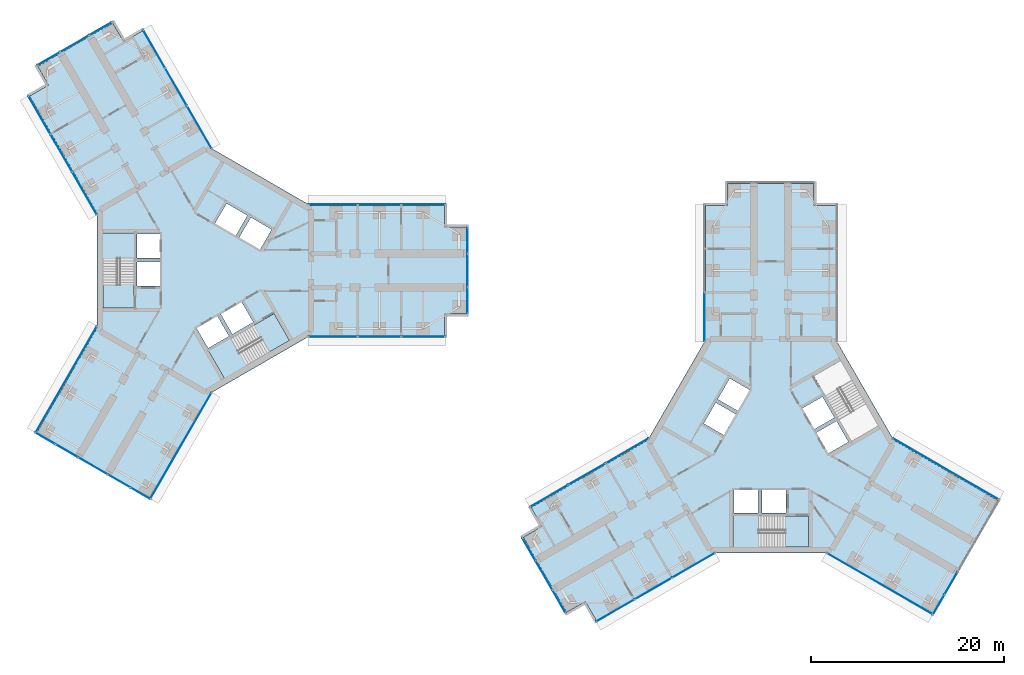
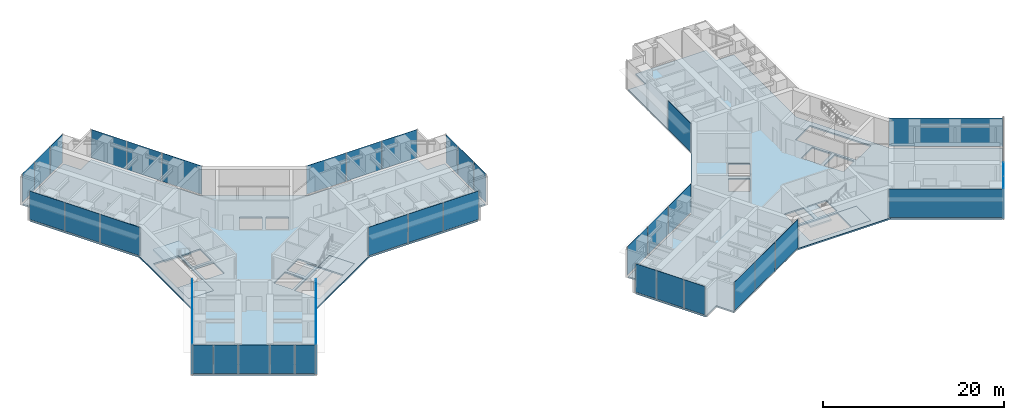
# One storey, part 13 of 21: 39 plates, 8 slabs, 19 elements without a shape of their own.
"""IFC4 building model written with IfcOpenShell, lengths in metres."""

from ifc_helpers import new_model, si_unit, direction, frame, origin, origin_2d, place, context, subcontext, project, spatial, polyline, rectangle, outline, extrude, material, layer, layer_set, type_object, element, aggregate, save


model = new_model("IFC4")

# Units and contexts
model_context = context("Model", 3, precision=1e-05, world=origin(), true_north=direction((0.0, 1.0)))
body_context = subcontext(model_context, "Body", "Model", "MODEL_VIEW")
ifc_project = project(units=[si_unit("LENGTHUNIT", "METRE"), si_unit("AREAUNIT", "SQUARE_METRE"), si_unit("VOLUMEUNIT", "CUBIC_METRE"), si_unit("PLANEANGLEUNIT", "RADIAN"), si_unit("MASSUNIT", "GRAM", prefix="KILO")], contexts=[model_context])

# Site, building, storey
site_placement = place(None, origin())
site = spatial("IfcSite", under=ifc_project, at=site_placement, CompositionType="ELEMENT")
building_placement = place(site_placement, origin())
building = spatial("IfcBuilding", under=site, at=building_placement, Name="Upepo Twin Towers", CompositionType="ELEMENT")
storey_placement = place(building_placement, frame((0.0, 0.0, 113.5)))
storey = spatial("IfcBuildingStorey", under=building, at=storey_placement, Name="L27", CompositionType="ELEMENT", Elevation=113.5)

# Curtain wall, plates
ifc_material_1 = material(Name="Aluminium and fritted glass", Category="aluminium")
curtain_wall_type = type_object("IfcCurtainWallType", Name="Tower curtain wall TW2, fritted glass", PredefinedType="NOTDEFINED", material=ifc_material_1)
curtain_wall_1_placement = place(storey_placement, origin())
curtain_wall_1 = element("IfcCurtainWall", 1, at=curtain_wall_1_placement, inside=storey, type_object=curtain_wall_type, Name="T1 L27 wing A flank L curtain wall", PredefinedType="NOTDEFINED")
ifc_material_2 = material(Name="Ceramic-fritted laminated glass", Category="glass")
ifc_layer_1 = layer(ifc_material_2, 0.031982421875)
ifc_layer_set_1 = layer_set([ifc_layer_1], Name="Fritted glass panel, 35 per cent dot frit, 32 mm double glazed")
plate_type_1 = type_object("IfcPlateType", Name="Fritted glass panel, 35 per cent dot frit, 32 mm double glazed", PredefinedType="CURTAIN_PANEL", material=ifc_layer_set_1)
plate_1_placement = place(storey_placement, frame((13.184814453125, 6.85009765625, 0.14990234375), z_axis=(0.0, 0.0, 1.0), x_axis=(1.0, 0.0, 0.0)))
plate_1 = element("IfcPlate", 2, at=plate_1_placement, type_object=plate_type_1, Name="T1 L27 wing A flank L curtain wall panel 1", PredefinedType="CURTAIN_PANEL", context=body_context, shape_type="SweptSolid", body=[
    extrude(rectangle(XDim=5.0654296875, YDim=0.031982421875, at=origin_2d()), origin(), (0.0, 0.0, 1.0), 3.85009765625),
])
plate_2_placement = place(storey_placement, frame((18.0, 6.85009765625, 0.14990234375), z_axis=(0.0, 0.0, 1.0), x_axis=(1.0, 0.0, 0.0)))
plate_2 = element("IfcPlate", 3, at=plate_2_placement, type_object=plate_type_1, Name="T1 L27 wing A flank L curtain wall panel 2", PredefinedType="CURTAIN_PANEL", context=body_context, shape_type="SweptSolid", body=[
    extrude(rectangle(XDim=4.43505859375, YDim=0.031982421875, at=origin_2d()), origin(), (0.0, 0.0, 1.0), 3.85009765625),
])
plate_3_placement = place(storey_placement, frame((22.53369140625, 6.85009765625, 0.14990234375), z_axis=(0.0, 0.0, 1.0), x_axis=(1.0, 0.0, 0.0)))
plate_3 = element("IfcPlate", 4, at=plate_3_placement, type_object=plate_type_1, Name="T1 L27 wing A flank L curtain wall panel 3", PredefinedType="CURTAIN_PANEL", context=body_context, shape_type="SweptSolid", body=[
    extrude(rectangle(XDim=4.50244140625, YDim=0.031982421875, at=origin_2d()), origin(), (0.0, 0.0, 1.0), 3.85009765625),
])
aggregate(curtain_wall_1, [plate_1, plate_2, plate_3])

curtain_wall_2_placement = place(storey_placement, origin())
curtain_wall_2 = element("IfcCurtainWall", 5, at=curtain_wall_2_placement, inside=storey, type_object=curtain_wall_type, Name="T1 L27 wing A flank R curtain wall", PredefinedType="NOTDEFINED")
plate_4_placement = place(storey_placement, frame((22.53369140625, -6.85009765625, 0.14990234375), z_axis=(0.0, 0.0, 1.0), x_axis=(-1.0, 0.0, 0.0)))
plate_4 = element("IfcPlate", 6, at=plate_4_placement, type_object=plate_type_1, Name="T1 L27 wing A flank R curtain wall panel 1", PredefinedType="CURTAIN_PANEL", context=body_context, shape_type="SweptSolid", body=[
    extrude(rectangle(XDim=4.50244140625, YDim=0.031982421875, at=origin_2d()), origin(), (0.0, 0.0, 1.0), 3.85009765625),
])
plate_5_placement = place(storey_placement, frame((18.0, -6.85009765625, 0.14990234375), z_axis=(0.0, 0.0, 1.0), x_axis=(-1.0, 0.0, 0.0)))
plate_5 = element("IfcPlate", 7, at=plate_5_placement, type_object=plate_type_1, Name="T1 L27 wing A flank R curtain wall panel 2", PredefinedType="CURTAIN_PANEL", context=body_context, shape_type="SweptSolid", body=[
    extrude(rectangle(XDim=4.43505859375, YDim=0.031982421875, at=origin_2d()), origin(), (0.0, 0.0, 1.0), 3.85009765625),
])
plate_6_placement = place(storey_placement, frame((13.184814453125, -6.85009765625, 0.14990234375), z_axis=(0.0, 0.0, 1.0), x_axis=(-1.0, 0.0, 0.0)))
plate_6 = element("IfcPlate", 8, at=plate_6_placement, type_object=plate_type_1, Name="T1 L27 wing A flank R curtain wall panel 3", PredefinedType="CURTAIN_PANEL", context=body_context, shape_type="SweptSolid", body=[
    extrude(rectangle(XDim=5.0654296875, YDim=0.031982421875, at=origin_2d()), origin(), (0.0, 0.0, 1.0), 3.85009765625),
])
aggregate(curtain_wall_2, [plate_4, plate_5, plate_6])

# Curtain wall, plate
curtain_wall_3_placement = place(storey_placement, origin())
curtain_wall_3 = element("IfcCurtainWall", 9, at=curtain_wall_3_placement, inside=storey, type_object=curtain_wall_type, Name="T1 L27 wing A nose curtain wall", PredefinedType="NOTDEFINED")
plate_7_placement = place(storey_placement, frame((27.10009765625, 0.0, 0.14990234375), z_axis=(0.0, 0.0, 1.0), x_axis=(0.0, 1.0, 0.0)))
plate_7 = element("IfcPlate", 10, at=plate_7_placement, type_object=plate_type_1, Name="T1 L27 wing A nose curtain wall panel 2", PredefinedType="CURTAIN_PANEL", context=body_context, shape_type="SweptSolid", body=[
    extrude(rectangle(XDim=3.43505859375, YDim=0.031982421875, at=origin_2d()), origin(), (0.0, 0.0, 1.0), 3.85009765625),
])

# Curtain wall, plates
curtain_wall_4_placement = place(storey_placement, origin())
curtain_wall_4 = element("IfcCurtainWall", 11, at=curtain_wall_4_placement, inside=storey, type_object=curtain_wall_type, Name="T1 L27 wing B flank L curtain wall", PredefinedType="NOTDEFINED")
plate_8_placement = place(storey_placement, frame((-12.524658203125, 7.993408203125, 0.14990234375), z_axis=(0.0, 0.0, 1.0), x_axis=(-0.500000010308, 0.866025397833, 0.0)))
plate_8 = element("IfcPlate", 12, at=plate_8_placement, type_object=plate_type_1, Name="T1 L27 wing B flank L curtain wall panel 1", PredefinedType="CURTAIN_PANEL", context=body_context, shape_type="SweptSolid", body=[
    extrude(rectangle(XDim=5.0654296875, YDim=0.031982421875, at=origin_2d()), origin(), (0.0, 0.0, 1.0), 3.85009765625),
])
plate_9_placement = place(storey_placement, frame((-14.932373046875, 12.16357421875, 0.14990234375), z_axis=(0.0, 0.0, 1.0), x_axis=(-0.500000010308, 0.866025397833, 0.0)))
plate_9 = element("IfcPlate", 13, at=plate_9_placement, type_object=plate_type_1, Name="T1 L27 wing B flank L curtain wall panel 2", PredefinedType="CURTAIN_PANEL", context=body_context, shape_type="SweptSolid", body=[
    extrude(rectangle(XDim=4.43505859375, YDim=0.031982421875, at=origin_2d()), origin(), (0.0, 0.0, 1.0), 3.85009765625),
])
plate_10_placement = place(storey_placement, frame((-17.19921875, 16.08984375, 0.14990234375), z_axis=(0.0, 0.0, 1.0), x_axis=(-0.500000010308, 0.866025397833, 0.0)))
plate_10 = element("IfcPlate", 14, at=plate_10_placement, type_object=plate_type_1, Name="T1 L27 wing B flank L curtain wall panel 3", PredefinedType="CURTAIN_PANEL", context=body_context, shape_type="SweptSolid", body=[
    extrude(rectangle(XDim=4.50244140625, YDim=0.031982421875, at=origin_2d()), origin(), (0.0, 0.0, 1.0), 3.85009765625),
])
aggregate(curtain_wall_4, [plate_8, plate_9, plate_10])

curtain_wall_5_placement = place(storey_placement, origin())
curtain_wall_5 = element("IfcCurtainWall", 15, at=curtain_wall_5_placement, inside=storey, type_object=curtain_wall_type, Name="T1 L27 wing B flank R curtain wall", PredefinedType="NOTDEFINED")
plate_11_placement = place(storey_placement, frame((-5.334716796875, 22.939697265625, 0.14990234375), z_axis=(0.0, 0.0, 1.0), x_axis=(0.500000010308, -0.866025397833, 0.0)))
plate_11 = element("IfcPlate", 16, at=plate_11_placement, type_object=plate_type_1, Name="T1 L27 wing B flank R curtain wall panel 1", PredefinedType="CURTAIN_PANEL", context=body_context, shape_type="SweptSolid", body=[
    extrude(rectangle(XDim=4.50244140625, YDim=0.031982421875, at=origin_2d()), origin(), (0.0, 0.0, 1.0), 3.85009765625),
])
plate_12_placement = place(storey_placement, frame((-3.067626953125, 19.013427734375, 0.14990234375), z_axis=(0.0, 0.0, 1.0), x_axis=(0.500000010308, -0.866025397833, 0.0)))
plate_12 = element("IfcPlate", 17, at=plate_12_placement, type_object=plate_type_1, Name="T1 L27 wing B flank R curtain wall panel 2", PredefinedType="CURTAIN_PANEL", context=body_context, shape_type="SweptSolid", body=[
    extrude(rectangle(XDim=4.43505859375, YDim=0.031982421875, at=origin_2d()), origin(), (0.0, 0.0, 1.0), 3.85009765625),
])
plate_13_placement = place(storey_placement, frame((-0.66015625, 14.84326171875, 0.14990234375), z_axis=(0.0, 0.0, 1.0), x_axis=(0.500000010308, -0.866025397833, 0.0)))
plate_13 = element("IfcPlate", 18, at=plate_13_placement, type_object=plate_type_1, Name="T1 L27 wing B flank R curtain wall panel 3", PredefinedType="CURTAIN_PANEL", context=body_context, shape_type="SweptSolid", body=[
    extrude(rectangle(XDim=5.0654296875, YDim=0.031982421875, at=origin_2d()), origin(), (0.0, 0.0, 1.0), 3.85009765625),
])
aggregate(curtain_wall_5, [plate_11, plate_12, plate_13])

# Curtain wall, plate
curtain_wall_6_placement = place(storey_placement, origin())
curtain_wall_6 = element("IfcCurtainWall", 19, at=curtain_wall_6_placement, inside=storey, type_object=curtain_wall_type, Name="T1 L27 wing B nose curtain wall", PredefinedType="NOTDEFINED")
plate_14_placement = place(storey_placement, frame((-13.550048828125, 23.46923828125, 0.14990234375), z_axis=(0.0, 0.0, 1.0), x_axis=(-0.866025386174, -0.500000030502, 0.0)))
plate_14 = element("IfcPlate", 20, at=plate_14_placement, type_object=plate_type_1, Name="T1 L27 wing B nose curtain wall panel 2", PredefinedType="CURTAIN_PANEL", context=body_context, shape_type="SweptSolid", body=[
    extrude(rectangle(XDim=3.43505859375, YDim=0.031982421875, at=origin_2d()), origin(), (0.0, 0.0, 1.0), 3.85009765625),
])

curtain_wall_7_placement = place(storey_placement, origin())
curtain_wall_7 = element("IfcCurtainWall", 21, at=curtain_wall_7_placement, inside=storey, type_object=curtain_wall_type, Name="T1 L27 wing C flank L curtain wall", PredefinedType="NOTDEFINED")
plate_15_placement = place(storey_placement, frame((-2.552001953125, -18.1201171875, 0.14990234375), z_axis=(0.0, 0.0, 1.0), x_axis=(-0.50000000792, -0.866025399212, 0.0)))
plate_15 = element("IfcPlate", 22, at=plate_15_placement, type_object=plate_type_1, Name="T1 L27 wing C flank L curtain wall panel 1", PredefinedType="CURTAIN_PANEL", context=body_context, shape_type="SweptSolid", body=[
    extrude(rectangle(XDim=12.6328125, YDim=0.031982421875, at=origin_2d()), origin(), (0.0, 0.0, 1.0), 3.85009765625),
])
aggregate(curtain_wall_7, [plate_15])

curtain_wall_8_placement = place(storey_placement, origin())
curtain_wall_8 = element("IfcCurtainWall", 23, at=curtain_wall_8_placement, inside=storey, type_object=curtain_wall_type, Name="T1 L27 wing C flank R curtain wall", PredefinedType="NOTDEFINED")
plate_16_placement = place(storey_placement, frame((-14.41650390625, -11.270263671875, 0.14990234375), z_axis=(0.0, 0.0, 1.0), x_axis=(0.50000000792, 0.866025399212, 0.0)))
plate_16 = element("IfcPlate", 24, at=plate_16_placement, type_object=plate_type_1, Name="T1 L27 wing C flank R curtain wall panel 1", PredefinedType="CURTAIN_PANEL", context=body_context, shape_type="SweptSolid", body=[
    extrude(rectangle(XDim=12.6328125, YDim=0.031982421875, at=origin_2d()), origin(), (0.0, 0.0, 1.0), 3.85009765625),
])
aggregate(curtain_wall_8, [plate_16])

# Curtain wall, plates
curtain_wall_9_placement = place(storey_placement, origin())
curtain_wall_9 = element("IfcCurtainWall", 25, at=curtain_wall_9_placement, inside=storey, type_object=curtain_wall_type, Name="T1 L27 wing C nose curtain wall", PredefinedType="NOTDEFINED")
plate_17_placement = place(storey_placement, frame((-14.38134765625, -18.6591796875, 0.14990234375), z_axis=(0.0, 0.0, 1.0), x_axis=(0.866025419745, -0.499999972355, 0.0)))
plate_17 = element("IfcPlate", 26, at=plate_17_placement, type_object=plate_type_1, Name="T1 L27 wing C nose curtain wall panel 2", PredefinedType="CURTAIN_PANEL", context=body_context, shape_type="SweptSolid", body=[
    extrude(rectangle(XDim=2.68505859375, YDim=0.031982421875, at=origin_2d()), origin(), (0.0, 0.0, 1.0), 3.85009765625),
])
plate_18_placement = place(storey_placement, frame((-11.675048828125, -20.2216796875, 0.14990234375), z_axis=(0.0, 0.0, 1.0), x_axis=(0.866025419745, -0.499999972355, 0.0)))
plate_18 = element("IfcPlate", 27, at=plate_18_placement, type_object=plate_type_1, Name="T1 L27 wing C nose curtain wall panel 3", PredefinedType="CURTAIN_PANEL", context=body_context, shape_type="SweptSolid", body=[
    extrude(rectangle(XDim=3.43505859375, YDim=0.031982421875, at=origin_2d()), origin(), (0.0, 0.0, 1.0), 3.85009765625),
])
plate_19_placement = place(storey_placement, frame((-8.96875, -21.7841796875, 0.14990234375), z_axis=(0.0, 0.0, 1.0), x_axis=(0.866025419745, -0.499999972355, 0.0)))
plate_19 = element("IfcPlate", 28, at=plate_19_placement, type_object=plate_type_1, Name="T1 L27 wing C nose curtain wall panel 4", PredefinedType="CURTAIN_PANEL", context=body_context, shape_type="SweptSolid", body=[
    extrude(rectangle(XDim=2.68505859375, YDim=0.031982421875, at=origin_2d()), origin(), (0.0, 0.0, 1.0), 3.85009765625),
])

# Curtain wall, plate
curtain_wall_10_placement = place(storey_placement, origin())
curtain_wall_10 = element("IfcCurtainWall", 29, at=curtain_wall_10_placement, inside=storey, type_object=curtain_wall_type, Name="T2 L27 wing A flank L curtain wall", PredefinedType="NOTDEFINED")
plate_20_placement = place(storey_placement, frame((51.64990234375, -4.815185546875, 0.14990234375), z_axis=(0.0, 0.0, 1.0), x_axis=(0.0, 1.0, 0.0)))
plate_20 = element("IfcPlate", 30, at=plate_20_placement, type_object=plate_type_1, Name="T2 L27 wing A flank L curtain wall panel 1", PredefinedType="CURTAIN_PANEL", context=body_context, shape_type="SweptSolid", body=[
    extrude(rectangle(XDim=5.0654296875, YDim=0.031982421875, at=origin_2d()), origin(), (0.0, 0.0, 1.0), 3.85009765625),
])
aggregate(curtain_wall_10, [plate_20])

# Curtain wall, plates
curtain_wall_11_placement = place(storey_placement, origin())
curtain_wall_11 = element("IfcCurtainWall", 31, at=curtain_wall_11_placement, inside=storey, type_object=curtain_wall_type, Name="T2 L27 wing B flank L curtain wall", PredefinedType="NOTDEFINED")
plate_21_placement = place(storey_placement, frame((50.506591796875, -30.524658203125, 0.14990234375), z_axis=(0.0, 0.0, 1.0), x_axis=(-0.866025397833, -0.500000010308, 0.0)))
plate_21 = element("IfcPlate", 32, at=plate_21_placement, type_object=plate_type_1, Name="T2 L27 wing B flank L curtain wall panel 1", PredefinedType="CURTAIN_PANEL", context=body_context, shape_type="SweptSolid", body=[
    extrude(rectangle(XDim=5.0654296875, YDim=0.031982421875, at=origin_2d()), origin(), (0.0, 0.0, 1.0), 3.85009765625),
])
plate_22_placement = place(storey_placement, frame((46.33642578125, -32.932373046875, 0.14990234375), z_axis=(0.0, 0.0, 1.0), x_axis=(-0.866025397833, -0.500000010308, 0.0)))
plate_22 = element("IfcPlate", 33, at=plate_22_placement, type_object=plate_type_1, Name="T2 L27 wing B flank L curtain wall panel 2", PredefinedType="CURTAIN_PANEL", context=body_context, shape_type="SweptSolid", body=[
    extrude(rectangle(XDim=4.43505859375, YDim=0.031982421875, at=origin_2d()), origin(), (0.0, 0.0, 1.0), 3.85009765625),
])
plate_23_placement = place(storey_placement, frame((42.41015625, -35.19921875, 0.14990234375), z_axis=(0.0, 0.0, 1.0), x_axis=(-0.866025397833, -0.500000010308, 0.0)))
plate_23 = element("IfcPlate", 34, at=plate_23_placement, type_object=plate_type_1, Name="T2 L27 wing B flank L curtain wall panel 3", PredefinedType="CURTAIN_PANEL", context=body_context, shape_type="SweptSolid", body=[
    extrude(rectangle(XDim=4.50244140625, YDim=0.031982421875, at=origin_2d()), origin(), (0.0, 0.0, 1.0), 3.85009765625),
])
aggregate(curtain_wall_11, [plate_21, plate_22, plate_23])

curtain_wall_12_placement = place(storey_placement, origin())
curtain_wall_12 = element("IfcCurtainWall", 35, at=curtain_wall_12_placement, inside=storey, type_object=curtain_wall_type, Name="T2 L27 wing B flank R curtain wall", PredefinedType="NOTDEFINED")
plate_24_placement = place(storey_placement, frame((35.560302734375, -23.334716796875, 0.14990234375), z_axis=(0.0, 0.0, 1.0), x_axis=(0.866025397833, 0.500000010308, 0.0)))
plate_24 = element("IfcPlate", 36, at=plate_24_placement, type_object=plate_type_1, Name="T2 L27 wing B flank R curtain wall panel 1", PredefinedType="CURTAIN_PANEL", context=body_context, shape_type="SweptSolid", body=[
    extrude(rectangle(XDim=4.50244140625, YDim=0.031982421875, at=origin_2d()), origin(), (0.0, 0.0, 1.0), 3.85009765625),
])
plate_25_placement = place(storey_placement, frame((39.486572265625, -21.067626953125, 0.14990234375), z_axis=(0.0, 0.0, 1.0), x_axis=(0.866025397833, 0.500000010308, 0.0)))
plate_25 = element("IfcPlate", 37, at=plate_25_placement, type_object=plate_type_1, Name="T2 L27 wing B flank R curtain wall panel 2", PredefinedType="CURTAIN_PANEL", context=body_context, shape_type="SweptSolid", body=[
    extrude(rectangle(XDim=4.43505859375, YDim=0.031982421875, at=origin_2d()), origin(), (0.0, 0.0, 1.0), 3.85009765625),
])
plate_26_placement = place(storey_placement, frame((43.65673828125, -18.66015625, 0.14990234375), z_axis=(0.0, 0.0, 1.0), x_axis=(0.866025397833, 0.500000010308, 0.0)))
plate_26 = element("IfcPlate", 38, at=plate_26_placement, type_object=plate_type_1, Name="T2 L27 wing B flank R curtain wall panel 3", PredefinedType="CURTAIN_PANEL", context=body_context, shape_type="SweptSolid", body=[
    extrude(rectangle(XDim=5.0654296875, YDim=0.031982421875, at=origin_2d()), origin(), (0.0, 0.0, 1.0), 3.85009765625),
])
aggregate(curtain_wall_12, [plate_24, plate_25, plate_26])

# Curtain wall, plate
curtain_wall_13_placement = place(storey_placement, origin())
curtain_wall_13 = element("IfcCurtainWall", 39, at=curtain_wall_13_placement, inside=storey, type_object=curtain_wall_type, Name="T2 L27 wing B nose curtain wall", PredefinedType="NOTDEFINED")
plate_27_placement = place(storey_placement, frame((35.03076171875, -31.550048828125, 0.14990234375), z_axis=(0.0, 0.0, 1.0), x_axis=(0.500000030502, -0.866025386174, 0.0)))
plate_27 = element("IfcPlate", 40, at=plate_27_placement, type_object=plate_type_1, Name="T2 L27 wing B nose curtain wall panel 2", PredefinedType="CURTAIN_PANEL", context=body_context, shape_type="SweptSolid", body=[
    extrude(rectangle(XDim=3.43505859375, YDim=0.031982421875, at=origin_2d()), origin(), (0.0, 0.0, 1.0), 3.85009765625),
])

curtain_wall_14_placement = place(storey_placement, origin())
curtain_wall_14 = element("IfcCurtainWall", 41, at=curtain_wall_14_placement, inside=storey, type_object=curtain_wall_type, Name="T2 L27 wing C flank L curtain wall", PredefinedType="NOTDEFINED")
plate_28_placement = place(storey_placement, frame((76.6201171875, -20.552001953125, 0.14990234375), z_axis=(0.0, 0.0, 1.0), x_axis=(0.866025399212, -0.50000000792, 0.0)))
plate_28 = element("IfcPlate", 42, at=plate_28_placement, type_object=plate_type_1, Name="T2 L27 wing C flank L curtain wall panel 1", PredefinedType="CURTAIN_PANEL", context=body_context, shape_type="SweptSolid", body=[
    extrude(rectangle(XDim=12.6328125, YDim=0.031982421875, at=origin_2d()), origin(), (0.0, 0.0, 1.0), 3.85009765625),
])
aggregate(curtain_wall_14, [plate_28])

curtain_wall_15_placement = place(storey_placement, origin())
curtain_wall_15 = element("IfcCurtainWall", 43, at=curtain_wall_15_placement, inside=storey, type_object=curtain_wall_type, Name="T2 L27 wing C flank R curtain wall", PredefinedType="NOTDEFINED")
plate_29_placement = place(storey_placement, frame((69.770263671875, -32.41650390625, 0.14990234375), z_axis=(0.0, 0.0, 1.0), x_axis=(-0.866025399212, 0.50000000792, 0.0)))
plate_29 = element("IfcPlate", 44, at=plate_29_placement, type_object=plate_type_1, Name="T2 L27 wing C flank R curtain wall panel 1", PredefinedType="CURTAIN_PANEL", context=body_context, shape_type="SweptSolid", body=[
    extrude(rectangle(XDim=12.6328125, YDim=0.031982421875, at=origin_2d()), origin(), (0.0, 0.0, 1.0), 3.85009765625),
])
aggregate(curtain_wall_15, [plate_29])

curtain_wall_16_placement = place(storey_placement, origin())
curtain_wall_16 = element("IfcCurtainWall", 45, at=curtain_wall_16_placement, inside=storey, type_object=curtain_wall_type, Name="T2 L27 wing C nose curtain wall", PredefinedType="NOTDEFINED")
plate_30_placement = place(storey_placement, frame((77.1591796875, -32.38134765625, 0.14990234375), z_axis=(0.0, 0.0, 1.0), x_axis=(0.499999972355, 0.866025419745, 0.0)))
plate_30 = element("IfcPlate", 46, at=plate_30_placement, type_object=plate_type_1, Name="T2 L27 wing C nose curtain wall panel 2", PredefinedType="CURTAIN_PANEL", context=body_context, shape_type="SweptSolid", body=[
    extrude(rectangle(XDim=2.68505859375, YDim=0.031982421875, at=origin_2d()), origin(), (0.0, 0.0, 1.0), 3.85009765625),
])

# Plate
ifc_material_3 = material(Name="Clear laminated glass in opening sash", Category="glass")
ifc_layer_2 = layer(ifc_material_3, 0.031982421875)
ifc_layer_set_2 = layer_set([ifc_layer_2], Name="Operable glass panel, 32 mm double glazed")
plate_type_2 = type_object("IfcPlateType", Name="Operable glass panel, 32 mm double glazed", PredefinedType="CURTAIN_PANEL", material=ifc_layer_set_2)
plate_31_placement = place(storey_placement, frame((27.10009765625, -3.108642578125, 0.14990234375), z_axis=(0.0, 0.0, 1.0), x_axis=(0.0, 1.0, 0.0)))
plate_31 = element("IfcPlate", 47, at=plate_31_placement, type_object=plate_type_2, Name="T1 L27 wing A nose curtain wall panel 1", PredefinedType="CURTAIN_PANEL", context=body_context, shape_type="SweptSolid", body=[
    extrude(rectangle(XDim=2.652587890625, YDim=0.031982421875, at=origin_2d()), origin(), (0.0, 0.0, 1.0), 3.85009765625),
])

plate_32_placement = place(storey_placement, frame((27.10009765625, 3.108642578125, 0.14990234375), z_axis=(0.0, 0.0, 1.0), x_axis=(0.0, 1.0, 0.0)))
plate_32 = element("IfcPlate", 48, at=plate_32_placement, type_object=plate_type_2, Name="T1 L27 wing A nose curtain wall panel 3", PredefinedType="CURTAIN_PANEL", context=body_context, shape_type="SweptSolid", body=[
    extrude(rectangle(XDim=2.652587890625, YDim=0.031982421875, at=origin_2d()), origin(), (0.0, 0.0, 1.0), 3.85009765625),
])

aggregate(curtain_wall_3, [plate_31, plate_7, plate_32])

plate_33_placement = place(storey_placement, frame((-10.857666015625, 25.023681640625, 0.14990234375), z_axis=(0.0, 0.0, 1.0), x_axis=(-0.866025386174, -0.500000030502, 0.0)))
plate_33 = element("IfcPlate", 49, at=plate_33_placement, type_object=plate_type_2, Name="T1 L27 wing B nose curtain wall panel 1", PredefinedType="CURTAIN_PANEL", context=body_context, shape_type="SweptSolid", body=[
    extrude(rectangle(XDim=2.652587890625, YDim=0.031982421875, at=origin_2d()), origin(), (0.0, 0.0, 1.0), 3.85009765625),
])

plate_34_placement = place(storey_placement, frame((-16.2421875, 21.914794921875, 0.14990234375), z_axis=(0.0, 0.0, 1.0), x_axis=(-0.866025386174, -0.500000030502, 0.0)))
plate_34 = element("IfcPlate", 50, at=plate_34_placement, type_object=plate_type_2, Name="T1 L27 wing B nose curtain wall panel 3", PredefinedType="CURTAIN_PANEL", context=body_context, shape_type="SweptSolid", body=[
    extrude(rectangle(XDim=2.652587890625, YDim=0.031982421875, at=origin_2d()), origin(), (0.0, 0.0, 1.0), 3.85009765625),
])

aggregate(curtain_wall_6, [plate_33, plate_14, plate_34])

plate_35_placement = place(storey_placement, frame((-16.618896484375, -17.367431640625, 0.14990234375), z_axis=(0.0, 0.0, 1.0), x_axis=(0.866025419745, -0.499999972355, 0.0)))
plate_35 = element("IfcPlate", 51, at=plate_35_placement, type_object=plate_type_2, Name="T1 L27 wing C nose curtain wall panel 1", PredefinedType="CURTAIN_PANEL", context=body_context, shape_type="SweptSolid", body=[
    extrude(rectangle(XDim=2.3525390625, YDim=0.031982421875, at=origin_2d()), origin(), (0.0, 0.0, 1.0), 3.85009765625),
])

plate_36_placement = place(storey_placement, frame((-6.73095703125, -23.076171875, 0.14990234375), z_axis=(0.0, 0.0, 1.0), x_axis=(0.866025419745, -0.499999972355, 0.0)))
plate_36 = element("IfcPlate", 52, at=plate_36_placement, type_object=plate_type_2, Name="T1 L27 wing C nose curtain wall panel 5", PredefinedType="CURTAIN_PANEL", context=body_context, shape_type="SweptSolid", body=[
    extrude(rectangle(XDim=2.3525390625, YDim=0.031982421875, at=origin_2d()), origin(), (0.0, 0.0, 1.0), 3.85009765625),
])

aggregate(curtain_wall_9, [plate_35, plate_17, plate_18, plate_19, plate_36])

plate_37_placement = place(storey_placement, frame((33.476318359375, -28.857666015625, 0.14990234375), z_axis=(0.0, 0.0, 1.0), x_axis=(0.500000030502, -0.866025386174, 0.0)))
plate_37 = element("IfcPlate", 53, at=plate_37_placement, type_object=plate_type_2, Name="T2 L27 wing B nose curtain wall panel 1", PredefinedType="CURTAIN_PANEL", context=body_context, shape_type="SweptSolid", body=[
    extrude(rectangle(XDim=2.652587890625, YDim=0.031982421875, at=origin_2d()), origin(), (0.0, 0.0, 1.0), 3.85009765625),
])

plate_38_placement = place(storey_placement, frame((36.585205078125, -34.2421875, 0.14990234375), z_axis=(0.0, 0.0, 1.0), x_axis=(0.500000030502, -0.866025386174, 0.0)))
plate_38 = element("IfcPlate", 54, at=plate_38_placement, type_object=plate_type_2, Name="T2 L27 wing B nose curtain wall panel 3", PredefinedType="CURTAIN_PANEL", context=body_context, shape_type="SweptSolid", body=[
    extrude(rectangle(XDim=2.652587890625, YDim=0.031982421875, at=origin_2d()), origin(), (0.0, 0.0, 1.0), 3.85009765625),
])

aggregate(curtain_wall_13, [plate_37, plate_27, plate_38])

plate_39_placement = place(storey_placement, frame((75.867431640625, -34.618896484375, 0.14990234375), z_axis=(0.0, 0.0, 1.0), x_axis=(0.499999972355, 0.866025419745, 0.0)))
plate_39 = element("IfcPlate", 55, at=plate_39_placement, type_object=plate_type_2, Name="T2 L27 wing C nose curtain wall panel 1", PredefinedType="CURTAIN_PANEL", context=body_context, shape_type="SweptSolid", body=[
    extrude(rectangle(XDim=2.3525390625, YDim=0.031982421875, at=origin_2d()), origin(), (0.0, 0.0, 1.0), 3.85009765625),
])

aggregate(curtain_wall_16, [plate_39, plate_30])

# Stair, slabs
ifc_material_4 = material(Name="Concrete C40/50", Category="concrete")
stair_type = type_object("IfcStairType", Name="Core stair, two flights", PredefinedType="HALF_TURN_STAIR", material=ifc_material_4)
stair_1_placement = place(storey_placement, origin())
stair_1 = element("IfcStair", 56, at=stair_1_placement, inside=storey, type_object=stair_type, Name="T1 stair S1 L27", PredefinedType="HALF_TURN_STAIR")
ifc_material_5 = material(Name="Concrete C40/50", Category="concrete")
ifc_layer_3 = layer(ifc_material_5, 0.199951171875)
ifc_layer_set_3 = layer_set([ifc_layer_3], Name="Concrete C40/50")
slab_type_1 = type_object("IfcSlabType", Name="Stair landing 200 RC", PredefinedType="LANDING", material=ifc_layer_set_3)
slab_1_placement = place(storey_placement, frame((0.0, 0.0, -0.199951171875)))
slab_1 = element("IfcSlab", 57, at=slab_1_placement, type_object=slab_type_1, Name="Stair S1 landing 1", PredefinedType="LANDING", context=body_context, shape_type="SweptSolid", body=[
    extrude(outline(polyline([(-7.39990234375, -1.419921875), (-10.6083984375, -1.419921875), (-10.6083984375, -3.89990234375), (-7.39990234375, -3.89990234375), (-7.39990234375, -1.419921875)])), origin(), (0.0, 0.0, 1.0), 0.199951171875),
])
slab_2_placement = place(storey_placement, frame((0.0, 0.0, 1.800048828125)))
slab_2 = element("IfcSlab", 58, at=slab_2_placement, type_object=slab_type_1, Name="Stair S1 landing 2", PredefinedType="LANDING", context=body_context, shape_type="SweptSolid", body=[
    extrude(outline(polyline([(-7.300048828125, 3.89990234375), (-10.708251953125, 3.89990234375), (-10.708251953125, 1.179931640625), (-7.300048828125, 1.179931640625), (-7.300048828125, 3.89990234375)])), origin(), (0.0, 0.0, 1.0), 0.199951171875),
])
aggregate(stair_1, [slab_1, slab_2])

stair_2_placement = place(storey_placement, origin())
stair_2 = element("IfcStair", 59, at=stair_2_placement, inside=storey, type_object=stair_type, Name="T1 stair S2 L27", PredefinedType="HALF_TURN_STAIR")
slab_3_placement = place(storey_placement, frame((0.0, 0.0, -0.199951171875)))
slab_3 = element("IfcSlab", 60, at=slab_3_placement, type_object=slab_type_1, Name="Stair S2 landing 1", PredefinedType="LANDING", context=body_context, shape_type="SweptSolid", body=[
    extrude(outline(polyline([(4.9296875, -5.698486328125), (6.533935546875, -8.47705078125), (8.681640625, -7.237060546875), (7.077392578125, -4.45849609375), (4.9296875, -5.698486328125)])), origin(), (0.0, 0.0, 1.0), 0.199951171875),
])
slab_4_placement = place(storey_placement, frame((0.0, 0.0, 1.800048828125)))
slab_4 = element("IfcSlab", 61, at=slab_4_placement, type_object=slab_type_1, Name="Stair S2 landing 2", PredefinedType="LANDING", context=body_context, shape_type="SweptSolid", body=[
    extrude(outline(polyline([(0.2724609375, -8.27197265625), (1.9765625, -11.2236328125), (4.332275390625, -9.86376953125), (2.628173828125, -6.911865234375), (0.2724609375, -8.27197265625)])), origin(), (0.0, 0.0, 1.0), 0.199951171875),
])
aggregate(stair_2, [slab_3, slab_4])

stair_3_placement = place(storey_placement, origin())
stair_3 = element("IfcStair", 62, at=stair_3_placement, inside=storey, type_object=stair_type, Name="T2 stair S1 L27", PredefinedType="HALF_TURN_STAIR")
slab_5_placement = place(storey_placement, frame((0.0, 0.0, -0.199951171875)))
slab_5 = element("IfcSlab", 63, at=slab_5_placement, type_object=slab_type_1, Name="Stair S1 landing 1", PredefinedType="LANDING", context=body_context, shape_type="SweptSolid", body=[
    extrude(outline(polyline([(59.919921875, -25.39990234375), (59.919921875, -28.6083984375), (62.39990234375, -28.6083984375), (62.39990234375, -25.39990234375), (59.919921875, -25.39990234375)])), origin(), (0.0, 0.0, 1.0), 0.199951171875),
])
slab_6_placement = place(storey_placement, frame((0.0, 0.0, 1.800048828125)))
slab_6 = element("IfcSlab", 64, at=slab_6_placement, type_object=slab_type_1, Name="Stair S1 landing 2", PredefinedType="LANDING", context=body_context, shape_type="SweptSolid", body=[
    extrude(outline(polyline([(54.60009765625, -25.300048828125), (54.60009765625, -28.708251953125), (57.320068359375, -28.708251953125), (57.320068359375, -25.300048828125), (54.60009765625, -25.300048828125)])), origin(), (0.0, 0.0, 1.0), 0.199951171875),
])
aggregate(stair_3, [slab_5, slab_6])

# Slabs
ifc_material_6 = material(Name="Concrete C40/50", Category="concrete")
ifc_layer_4 = layer(ifc_material_6, 0.199951171875)
ifc_layer_set_4 = layer_set([ifc_layer_4], Name="Concrete C40/50")
slab_type_2 = type_object("IfcSlabType", Name="Tower floor slab 200 RC", PredefinedType="FLOOR", material=ifc_layer_set_4)
slab_7_placement = place(storey_placement, frame((0.0, 0.0, -0.199951171875)))
element("IfcSlab", 65, at=slab_7_placement, inside=storey, type_object=slab_type_2, Name="T1 L27 floor slab", PredefinedType="FLOOR", context=body_context, shape_type="SweptSolid", body=[
    extrude(outline(polyline([(-17.470703125, -16.760009765625), (-11.25830078125, -6.0), (-11.25830078125, 6.0), (-18.220703125, 18.05908203125), (-16.272216796875, 19.18408203125), (-17.397216796875, 21.132568359375), (-9.602783203125, 25.632568359375), (-8.477783203125, 23.68408203125), (-6.529296875, 24.80908203125), (0.43310546875, 12.75), (10.825439453125, 6.75), (24.75, 6.75), (24.75, 4.5), (27.0, 4.5), (27.0, -4.5), (24.75, -4.5), (24.75, -6.75), (10.825439453125, -6.75), (0.43310546875, -12.75), (-5.779296875, -23.510009765625), (-17.470703125, -16.760009765625)]), holes=[polyline([(5.640869140625, 2.17041015625), (6.8408203125, 4.248779296875), (4.67578125, 5.498779296875), (3.475830078125, 3.42041015625), (5.640869140625, 2.17041015625)]), polyline([(3.12939453125, 3.620361328125), (4.329345703125, 5.69873046875), (2.164306640625, 6.94873046875), (0.96435546875, 4.870361328125), (3.12939453125, 3.620361328125)]), polyline([(-4.699951171875, 3.800048828125), (-7.10009765625, 3.800048828125), (-7.10009765625, 1.300048828125), (-4.699951171875, 1.300048828125), (-4.699951171875, 3.800048828125)]), polyline([(-4.699951171875, 0.89990234375), (-7.10009765625, 0.89990234375), (-7.10009765625, -1.60009765625), (-4.699951171875, -1.60009765625), (-4.699951171875, 0.89990234375)]), polyline([(-7.39990234375, 3.89990234375), (-10.6083984375, 3.89990234375), (-10.6083984375, -3.89990234375), (-7.39990234375, -3.89990234375), (-7.39990234375, 3.89990234375)]), polyline([(-0.94091796875, -5.97021484375), (0.259033203125, -8.048828125), (2.424072265625, -6.798828125), (1.22412109375, -4.72021484375), (-0.94091796875, -5.97021484375)]), polyline([(1.570556640625, -4.520263671875), (2.7705078125, -6.598876953125), (4.935546875, -5.348876953125), (3.735595703125, -3.270263671875), (1.570556640625, -4.520263671875)]), polyline([(0.322509765625, -8.358642578125), (1.9267578125, -11.136962890625), (8.681640625, -7.237060546875), (7.077392578125, -4.45849609375), (0.322509765625, -8.358642578125)])]), origin(), (0.0, 0.0, 1.0), 0.199951171875),
])
slab_8_placement = place(storey_placement, frame((0.0, 0.0, -0.199951171875)))
element("IfcSlab", 66, at=slab_8_placement, inside=storey, type_object=slab_type_2, Name="T2 L27 floor slab", PredefinedType="FLOOR", context=body_context, shape_type="SweptSolid", body=[
    extrude(outline(polyline([(75.260009765625, -35.470703125), (64.5, -29.25830078125), (52.5, -29.25830078125), (40.44091796875, -36.220703125), (39.31591796875, -34.272216796875), (37.367431640625, -35.397216796875), (32.867431640625, -27.602783203125), (34.81591796875, -26.477783203125), (33.69091796875, -24.529296875), (45.75, -17.56689453125), (51.75, -7.174560546875), (51.75, 6.75), (54.0, 6.75), (54.0, 9.0), (63.0, 9.0), (63.0, 6.75), (65.25, 6.75), (65.25, -7.174560546875), (71.25, -17.56689453125), (82.010009765625, -23.779296875), (75.260009765625, -35.470703125)]), holes=[polyline([(56.32958984375, -12.359130859375), (54.251220703125, -11.1591796875), (53.001220703125, -13.32421875), (55.07958984375, -14.524169921875), (56.32958984375, -12.359130859375)]), polyline([(54.879638671875, -14.87060546875), (52.80126953125, -13.670654296875), (51.55126953125, -15.835693359375), (53.629638671875, -17.03564453125), (54.879638671875, -14.87060546875)]), polyline([(54.699951171875, -22.699951171875), (54.699951171875, -25.10009765625), (57.199951171875, -25.10009765625), (57.199951171875, -22.699951171875), (54.699951171875, -22.699951171875)]), polyline([(57.60009765625, -22.699951171875), (57.60009765625, -25.10009765625), (60.10009765625, -25.10009765625), (60.10009765625, -22.699951171875), (57.60009765625, -22.699951171875)]), polyline([(54.60009765625, -25.39990234375), (54.60009765625, -28.6083984375), (62.39990234375, -28.6083984375), (62.39990234375, -25.39990234375), (54.60009765625, -25.39990234375)]), polyline([(64.47021484375, -18.94091796875), (66.548828125, -17.740966796875), (65.298828125, -15.575927734375), (63.22021484375, -16.77587890625), (64.47021484375, -18.94091796875)]), polyline([(63.020263671875, -16.429443359375), (65.098876953125, -15.2294921875), (63.848876953125, -13.064453125), (61.770263671875, -14.264404296875), (63.020263671875, -16.429443359375)]), polyline([(66.858642578125, -17.677490234375), (69.636962890625, -16.0732421875), (65.737060546875, -9.318359375), (62.95849609375, -10.922607421875), (66.858642578125, -17.677490234375)])]), origin(), (0.0, 0.0, 1.0), 0.199951171875),
])

save(model, "model.ifc")
